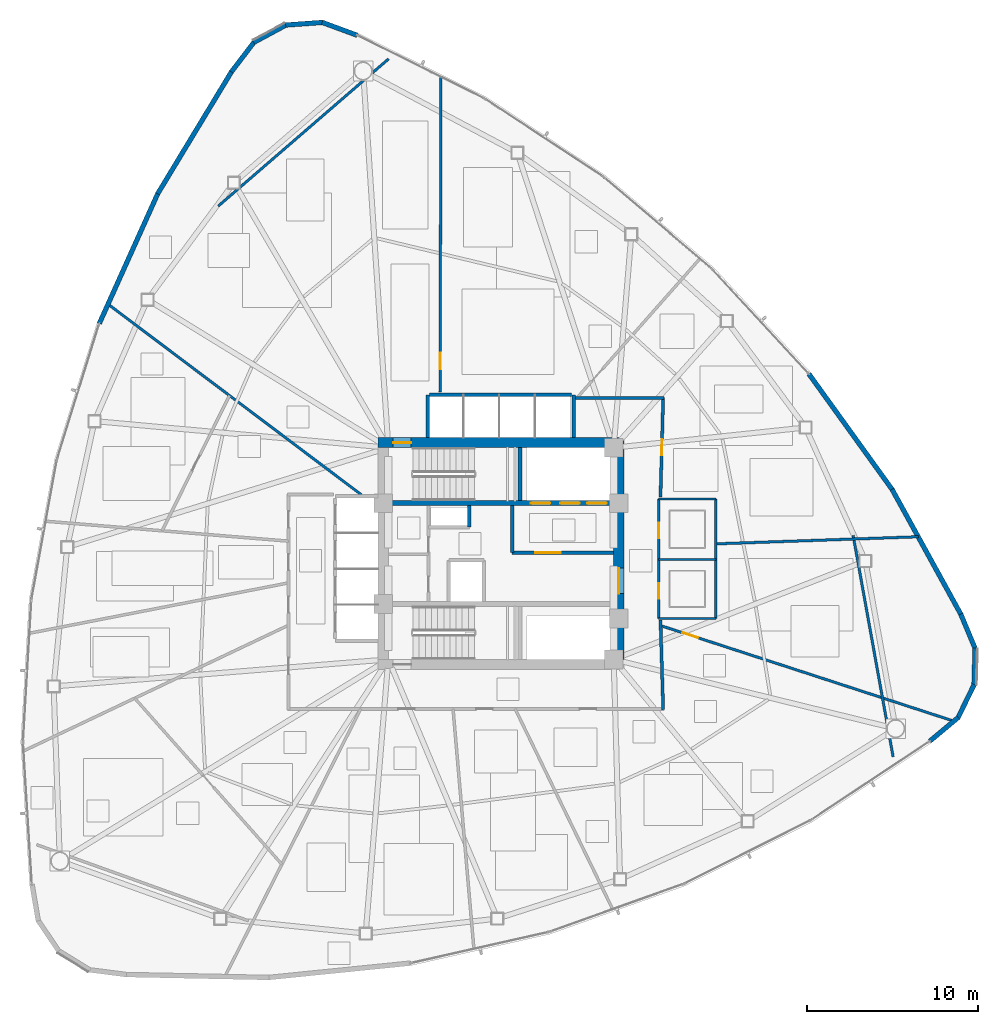
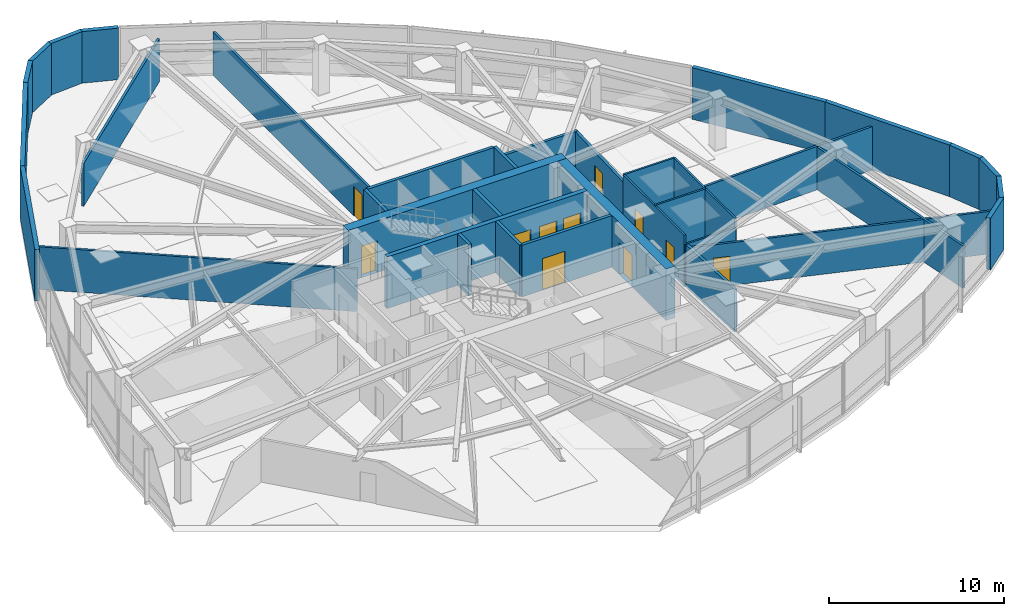
# One storey, part 12 of 17: 36 walls, 11 doors, 11 openings.
"""IFC4 building model written with IfcOpenShell, lengths in metres."""

from ifc_helpers import new_model, si_unit, direction, frame, frame_2d, origin, place, context, subcontext, project, spatial, rectangle, extrude, material, layer, layer_set, type_object, element, fill, save


model = new_model("IFC4")

# Units and contexts
model_context = context("Model", 3, precision=1e-05, world=origin(), true_north=direction((0.0, 1.0)))
body_context = subcontext(model_context, "Body", "Model", "MODEL_VIEW")
ifc_project = project(units=[si_unit("LENGTHUNIT", "METRE"), si_unit("AREAUNIT", "SQUARE_METRE"), si_unit("VOLUMEUNIT", "CUBIC_METRE"), si_unit("PLANEANGLEUNIT", "RADIAN"), si_unit("MASSUNIT", "GRAM", prefix="KILO")], contexts=[model_context])

# Site, building, storey
site_placement = place(None, origin())
site = spatial("IfcSite", under=ifc_project, at=site_placement, CompositionType="ELEMENT")
building_placement = place(site_placement, origin())
building = spatial("IfcBuilding", under=site, at=building_placement, Name="Tavelor Broadcast Tower", CompositionType="ELEMENT")
storey_placement = place(building_placement, frame((0.0, 0.0, 93.89990234375)))
storey = spatial("IfcBuildingStorey", under=building, at=storey_placement, Name="L22", CompositionType="ELEMENT", Elevation=93.89990234375)

# Wall, opening, door
ifc_material_1 = material(Name="Concrete C60/75", Category="concrete")
ifc_layer_1 = layer(ifc_material_1, 0.60009765625)
ifc_layer_set_1 = layer_set([ifc_layer_1], Name="Concrete C60/75")
wall_type_1 = type_object("IfcWallType", Name="Core Shear Wall 600 mm", PredefinedType="SHEAR", material=ifc_layer_set_1)
wall_1_placement = place(storey_placement, frame((42.800048828125, 51.5, 0.0), z_axis=(0.0, 0.0, 1.0), x_axis=(1.0, 0.0, 0.0)))
wall_1 = element("IfcWall", 1, at=wall_1_placement, inside=storey, type_object=wall_type_1, Name="L22 Central Core Shear Wall N", PredefinedType="SHEAR", context=body_context, shape_type="SweptSolid", body=[
    extrude(rectangle(XDim=14.39990234375, YDim=0.60009765625, at=frame_2d((7.199951171875, 0.0))), origin(), (0.0, 0.0, 1.0), 3.60009765625),
])
opening_1_placement = place(wall_1_placement, frame((0.8798828125, 0.0, 0.0)))
opening_1 = element("IfcOpeningElement", 2, at=opening_1_placement, cuts=wall_1, Name="Opening DR11", PredefinedType="OPENING", context=body_context, shape_type="SweptSolid", body=[
    extrude(rectangle(XDim=1.050048828125, YDim=2.199951171875, at=frame_2d((0.52490234375, 1.10009765625))), frame((0.0, 0.31005859375, 0.0), z_axis=(0.0, -1.0, 0.0), x_axis=(1.0, 0.0, 0.0)), (0.0, 0.0, 1.0), 0.6201171875),
])
ifc_material_2 = material(Name="Steel S355", Category="steel")
door_type_1 = type_object("IfcDoorType", Name="Stair Core Fire Escape Door 1050x2200", OperationType="NOTDEFINED", PredefinedType="DOOR", material=ifc_material_2)
door_1_placement = place(opening_1_placement, origin())
door_1 = element("IfcDoor", 3, at=door_1_placement, inside=storey, type_object=door_type_1, Name="L22 Stair ST1 Protected Exit Door", OperationType="SINGLE_SWING_LEFT", OverallHeight=2.199951171875, OverallWidth=1.050048828125, PredefinedType="DOOR", context=body_context, shape_type="SweptSolid", body=[
    extrude(rectangle(XDim=1.050048828125, YDim=2.199951171875, at=frame_2d((0.52490234375, 1.10009765625))), frame((0.0, 0.02490234375, 0.0), z_axis=(0.0, -1.0, 0.0), x_axis=(1.0, 0.0, 0.0)), (0.0, 0.0, 1.0), 0.050048828125),
])
fill(opening_1, door_1)

wall_2_placement = place(storey_placement, frame((56.89990234375, 38.800048828125, 0.0), z_axis=(0.0, 0.0, 1.0), x_axis=(0.0, 1.0, 0.0)))
wall_2 = element("IfcWall", 4, at=wall_2_placement, inside=storey, type_object=wall_type_1, Name="L22 Central Core Shear Wall E", PredefinedType="SHEAR", context=body_context, shape_type="SweptSolid", body=[
    extrude(rectangle(XDim=12.39990234375, YDim=0.60009765625, at=frame_2d((6.199951171875, 0.0))), origin(), (0.0, 0.0, 1.0), 3.60009765625),
])
opening_2_placement = place(wall_2_placement, frame((3.85009765625, 0.0, 0.0)))
opening_2 = element("IfcOpeningElement", 5, at=opening_2_placement, cuts=wall_2, Name="Opening DR14", PredefinedType="OPENING", context=body_context, shape_type="SweptSolid", body=[
    extrude(rectangle(XDim=1.5, YDim=2.199951171875, at=frame_2d((0.75, 1.10009765625))), frame((0.0, 0.31005859375, 0.0), z_axis=(0.0, -1.0, 0.0), x_axis=(1.0, 0.0, 0.0)), (0.0, 0.0, 1.0), 0.6201171875),
])
door_type_2 = type_object("IfcDoorType", Name="Firefighting Lobby Double Fire Door 1500x2200", OperationType="NOTDEFINED", PredefinedType="DOOR", material=ifc_material_2)
door_2_placement = place(opening_2_placement, origin())
door_2 = element("IfcDoor", 6, at=door_2_placement, inside=storey, type_object=door_type_2, Name="L22 Central Core Lobby Fire Door", OperationType="SINGLE_SWING_RIGHT", OverallHeight=2.199951171875, OverallWidth=1.5, PredefinedType="DOOR", context=body_context, shape_type="SweptSolid", body=[
    extrude(rectangle(XDim=1.5, YDim=2.199951171875, at=frame_2d((0.75, 1.10009765625))), frame((0.0, 0.02490234375, 0.0), z_axis=(0.0, -1.0, 0.0), x_axis=(1.0, 0.0, 0.0)), (0.0, 0.0, 1.0), 0.050048828125),
])
fill(opening_2, door_2)

# Wall, openings, doors
ifc_layer_2 = layer(ifc_material_1, 0.300048828125)
ifc_layer_set_2 = layer_set([ifc_layer_2], Name="Concrete C60/75")
wall_type_2 = type_object("IfcWallType", Name="Core Spine Shear Wall 300 mm C60", PredefinedType="SHEAR", material=ifc_layer_set_2)
wall_3_placement = place(storey_placement, frame((43.39990234375, 47.949951171875, 0.0), z_axis=(0.0, 0.0, 1.0), x_axis=(1.0, 0.0, 0.0)))
wall_3 = element("IfcWall", 7, at=wall_3_placement, inside=storey, type_object=wall_type_2, Name="L22 Central Core Shear Wall SP1", PredefinedType="SHEAR", context=body_context, shape_type="SweptSolid", body=[
    extrude(rectangle(XDim=13.2001953125, YDim=0.300048828125, at=frame_2d((6.60009765625, 0.0))), origin(), (0.0, 0.0, 1.0), 3.60009765625),
])
opening_3_placement = place(wall_3_placement, frame((8.344970703125, 0.0, 0.0)))
opening_3 = element("IfcOpeningElement", 8, at=opening_3_placement, cuts=wall_3, Name="Opening LD02", PredefinedType="OPENING", context=body_context, shape_type="SweptSolid", body=[
    extrude(rectangle(XDim=1.14990234375, YDim=2.199951171875, at=frame_2d((0.574951171875, 1.10009765625))), frame((0.0, 0.16015625, 0.0), z_axis=(0.0, -1.0, 0.0), x_axis=(1.0, 0.0, 0.0)), (0.0, 0.0, 1.0), 0.320068359375),
])
opening_4_placement = place(wall_3_placement, frame((10.06494140625, 0.0, 0.0)))
opening_4 = element("IfcOpeningElement", 9, at=opening_4_placement, cuts=wall_3, Name="Opening LD02", PredefinedType="OPENING", context=body_context, shape_type="SweptSolid", body=[
    extrude(rectangle(XDim=1.14990234375, YDim=2.199951171875, at=frame_2d((0.574951171875, 1.10009765625))), frame((0.0, 0.16015625, 0.0), z_axis=(0.0, -1.0, 0.0), x_axis=(1.0, 0.0, 0.0)), (0.0, 0.0, 1.0), 0.320068359375),
])
opening_5_placement = place(wall_3_placement, frame((11.64501953125, 0.0, 0.0)))
opening_5 = element("IfcOpeningElement", 10, at=opening_5_placement, cuts=wall_3, Name="Opening LD03", PredefinedType="OPENING", context=body_context, shape_type="SweptSolid", body=[
    extrude(rectangle(XDim=1.14990234375, YDim=2.199951171875, at=frame_2d((0.574951171875, 1.10009765625))), frame((0.0, 0.16015625, 0.0), z_axis=(0.0, -1.0, 0.0), x_axis=(1.0, 0.0, 0.0)), (0.0, 0.0, 1.0), 0.320068359375),
])
ifc_material_3 = material(Name="Reinforced Brushed Stainless Steel", Category="concrete")
door_type_3 = type_object("IfcDoorType", Name="Broadcast Goods Lift Sliding Landing Door 1250x2200", OperationType="NOTDEFINED", PredefinedType="DOOR", material=ifc_material_3)
door_3_placement = place(opening_5_placement, origin())
door_3 = element("IfcDoor", 11, at=door_3_placement, inside=storey, type_object=door_type_3, Name="L22 Lift SVL1 Sliding Landing Door", OperationType="SLIDING_TO_LEFT", OverallHeight=2.199951171875, OverallWidth=1.14990234375, PredefinedType="DOOR", context=body_context, shape_type="SweptSolid", body=[
    extrude(rectangle(XDim=1.14990234375, YDim=2.199951171875, at=frame_2d((0.574951171875, 1.10009765625))), frame((0.0, 0.02490234375, 0.0), z_axis=(0.0, -1.0, 0.0), x_axis=(1.0, 0.0, 0.0)), (0.0, 0.0, 1.0), 0.050048828125),
])
fill(opening_5, door_3)
ifc_material_4 = material(Name="Fire-Rated Stainless Steel", Category="steel")
door_type_4 = type_object("IfcDoorType", Name="Firefighting Lift Sliding Landing Door 1200x2200", OperationType="NOTDEFINED", PredefinedType="DOOR", material=ifc_material_4)
door_4_placement = place(opening_3_placement, origin())
door_4 = element("IfcDoor", 12, at=door_4_placement, inside=storey, type_object=door_type_4, Name="L22 Lift FFL1 Sliding Landing Door", OperationType="SLIDING_TO_LEFT", OverallHeight=2.199951171875, OverallWidth=1.14990234375, PredefinedType="DOOR", context=body_context, shape_type="SweptSolid", body=[
    extrude(rectangle(XDim=1.14990234375, YDim=2.199951171875, at=frame_2d((0.574951171875, 1.10009765625))), frame((0.0, 0.02490234375, 0.0), z_axis=(0.0, -1.0, 0.0), x_axis=(1.0, 0.0, 0.0)), (0.0, 0.0, 1.0), 0.050048828125),
])
fill(opening_3, door_4)
door_5_placement = place(opening_4_placement, origin())
door_5 = element("IfcDoor", 13, at=door_5_placement, inside=storey, type_object=door_type_4, Name="L22 Lift FFL2 Sliding Landing Door", OperationType="SLIDING_TO_LEFT", OverallHeight=2.199951171875, OverallWidth=1.14990234375, PredefinedType="DOOR", context=body_context, shape_type="SweptSolid", body=[
    extrude(rectangle(XDim=1.14990234375, YDim=2.199951171875, at=frame_2d((0.574951171875, 1.10009765625))), frame((0.0, 0.02490234375, 0.0), z_axis=(0.0, -1.0, 0.0), x_axis=(1.0, 0.0, 0.0)), (0.0, 0.0, 1.0), 0.050048828125),
])
fill(opening_4, door_5)

# Wall
ifc_material_5 = material(Name="Calcium Silicate Fire Board 180 mm", Category="gypsum")
ifc_layer_3 = layer(ifc_material_5, 0.179931640625)
ifc_layer_set_3 = layer_set([ifc_layer_3], Name="Calcium Silicate Fire Board 180 mm")
wall_type_3 = type_object("IfcWallType", Name="Fire-Rated Corridor Partition Wall 180 mm", PredefinedType="PARTITIONING", material=ifc_layer_set_3)
wall_4_placement = place(storey_placement, frame((54.300048828125, 54.10009765625, 0.0), z_axis=(0.0, 0.0, 1.0), x_axis=(1.0, 0.0, 0.0)))
element("IfcWall", 14, at=wall_4_placement, inside=storey, type_object=wall_type_3, Name="L22 Corridor Compartment Wall 01", PredefinedType="PARTITIONING", context=body_context, shape_type="SweptSolid", body=[
    extrude(rectangle(XDim=5.25, YDim=0.179931640625, at=frame_2d((2.625, 0.0))), origin(), (0.0, 0.0, 1.0), 2.97509765625),
])

# Wall, opening, door
wall_5_placement = place(storey_placement, frame((59.50146484375, 54.14990234375, 0.0), z_axis=(0.0, 0.0, 1.0), x_axis=(-0.027367567602, -0.999625437973, 0.0)))
wall_5 = element("IfcWall", 15, at=wall_5_placement, inside=storey, type_object=wall_type_3, Name="L22 Corridor Compartment Wall 02", PredefinedType="PARTITIONING", context=body_context, shape_type="SweptSolid", body=[
    extrude(rectangle(XDim=5.85205078125, YDim=0.179931640625, at=frame_2d((2.926025390625, 0.0))), origin(), (0.0, 0.0, 1.0), 2.97509765625),
])
opening_6_placement = place(wall_5_placement, frame((2.451171875, 0.0, 0.0)))
opening_6 = element("IfcOpeningElement", 16, at=opening_6_placement, cuts=wall_5, Name="Opening DR18", PredefinedType="OPENING", context=body_context, shape_type="SweptSolid", body=[
    extrude(rectangle(XDim=0.949951171875, YDim=2.050048828125, at=frame_2d((0.47509765625, 1.02490234375))), frame((0.0, 0.10009765625, 0.0), z_axis=(0.0, -1.0, 0.0), x_axis=(1.0, 0.0, 0.0)), (0.0, 0.0, 1.0), 0.199951171875),
])
ifc_material_6 = material(Name="Timber Solid Core Hardwood", Category="wood")
door_type_5 = type_object("IfcDoorType", Name="Corridor Rated Compartment Door 950x2050", OperationType="NOTDEFINED", PredefinedType="DOOR", material=ifc_material_6)
door_6_placement = place(opening_6_placement, origin())
door_6 = element("IfcDoor", 17, at=door_6_placement, inside=storey, type_object=door_type_5, Name="L22 International Bureau Office Door R9", OperationType="SINGLE_SWING_LEFT", OverallHeight=2.050048828125, OverallWidth=0.949951171875, PredefinedType="DOOR", context=body_context, shape_type="SweptSolid", body=[
    extrude(rectangle(XDim=0.949951171875, YDim=2.050048828125, at=frame_2d((0.47509765625, 1.02490234375))), frame((0.0, 0.02490234375, 0.0), z_axis=(0.0, -1.0, 0.0), x_axis=(1.0, 0.0, 0.0)), (0.0, 0.0, 1.0), 0.050048828125),
])
fill(opening_6, door_6)

# Walls
wall_6_placement = place(storey_placement, frame((59.341552734375, 41.10009765625, 0.0), z_axis=(0.0, 0.0, 1.0), x_axis=(0.030445329425, -0.999536433511, 0.0)))
element("IfcWall", 18, at=wall_6_placement, inside=storey, type_object=wall_type_3, Name="L22 Corridor Compartment Wall 03", PredefinedType="PARTITIONING", context=body_context, shape_type="SweptSolid", body=[
    extrude(rectangle(XDim=5.25244140625, YDim=0.179931640625, at=frame_2d((2.626220703125, 0.0))), origin(), (0.0, 0.0, 1.0), 2.97509765625),
])
ifc_material_7 = material(Name="Precast Concrete C40/50", Category="concrete")
ifc_layer_4 = layer(ifc_material_7, 0.280029296875)
ifc_layer_set_4 = layer_set([ifc_layer_4], Name="Precast Concrete C40/50")
wall_type_4 = type_object("IfcWallType", Name="Insulated Precast Terracotta Facade Wall 280 mm", PredefinedType="STANDARD", material=ifc_layer_set_4)
wall_7_placement = place(storey_placement, frame((41.56689453125, 75.363037109375, 0.0), z_axis=(0.0, 0.0, 1.0), x_axis=(-0.938189981727, 0.346120727762, 0.0)))
element("IfcWall", 19, at=wall_7_placement, inside=storey, type_object=wall_type_4, Name="L22 Rounded Corner Structural Cladding Pier 01", PredefinedType="STANDARD", context=body_context, shape_type="SweptSolid", body=[
    extrude(rectangle(XDim=2.178955078125, YDim=0.280029296875, at=frame_2d((1.08935546875, 0.0))), origin(), (0.0, 0.0, 1.0), 3.60009765625),
])
wall_8_placement = place(storey_placement, frame((39.5517578125, 76.113037109375, 0.0), z_axis=(0.0, 0.0, 1.0), x_axis=(-0.997502539486, -0.070630614597, 0.0)))
element("IfcWall", 20, at=wall_8_placement, inside=storey, type_object=wall_type_4, Name="L22 Rounded Corner Structural Cladding Pier 02", PredefinedType="STANDARD", context=body_context, shape_type="SweptSolid", body=[
    extrude(rectangle(XDim=2.167236328125, YDim=0.280029296875, at=frame_2d((1.08349609375, 0.0))), origin(), (0.0, 0.0, 1.0), 3.60009765625),
])
wall_9_placement = place(storey_placement, frame((37.418212890625, 75.968017578125, 0.0), z_axis=(0.0, 0.0, 1.0), x_axis=(-0.880116329894, -0.474758091932, 0.0)))
element("IfcWall", 21, at=wall_9_placement, inside=storey, type_object=wall_type_4, Name="L22 Rounded Corner Structural Cladding Pier 03", PredefinedType="STANDARD", context=body_context, shape_type="SweptSolid", body=[
    extrude(rectangle(XDim=2.1669921875, YDim=0.280029296875, at=frame_2d((1.08349609375, 0.0))), origin(), (0.0, 0.0, 1.0), 3.60009765625),
])
wall_10_placement = place(storey_placement, frame((35.533203125, 74.9580078125, 0.0), z_axis=(0.0, 0.0, 1.0), x_axis=(-0.606651068658, -0.794968226343, 0.0)))
element("IfcWall", 22, at=wall_10_placement, inside=storey, type_object=wall_type_4, Name="L22 Rounded Corner Structural Cladding Pier 04", PredefinedType="STANDARD", context=body_context, shape_type="SweptSolid", body=[
    extrude(rectangle(XDim=2.189697265625, YDim=0.280029296875, at=frame_2d((1.0947265625, 0.0))), origin(), (0.0, 0.0, 1.0), 3.60009765625),
])
wall_11_placement = place(storey_placement, frame((34.2216796875, 73.2421875, 0.0), z_axis=(0.0, 0.0, 1.0), x_axis=(-0.517663480334, -0.855584315616, 0.0)))
element("IfcWall", 23, at=wall_11_placement, inside=storey, type_object=wall_type_4, Name="L22 Rounded Corner Structural Cladding Pier 05", PredefinedType="STANDARD", context=body_context, shape_type="SweptSolid", body=[
    extrude(rectangle(XDim=8.3779296875, YDim=0.280029296875, at=frame_2d((4.18896484375, 0.0))), origin(), (0.0, 0.0, 1.0), 3.60009765625),
])
wall_12_placement = place(storey_placement, frame((29.898681640625, 66.1005859375, 0.0), z_axis=(0.0, 0.0, 1.0), x_axis=(-0.41035011583, -0.91192805771, 0.0)))
element("IfcWall", 24, at=wall_12_placement, inside=storey, type_object=wall_type_4, Name="L22 Rounded Corner Structural Cladding Pier 06", PredefinedType="STANDARD", context=body_context, shape_type="SweptSolid", body=[
    extrude(rectangle(XDim=8.36572265625, YDim=0.280029296875, at=frame_2d((4.182861328125, 0.0))), origin(), (0.0, 0.0, 1.0), 3.60009765625),
])
wall_13_placement = place(storey_placement, frame((75.11181640625, 34.004150390625, 0.0), z_axis=(0.0, 0.0, 1.0), x_axis=(0.768799603125, 0.639489773362, 0.0)))
element("IfcWall", 25, at=wall_13_placement, inside=storey, type_object=wall_type_4, Name="L22 Rounded Corner Structural Cladding Pier 21", PredefinedType="STANDARD", context=body_context, shape_type="SweptSolid", body=[
    extrude(rectangle(XDim=2.1787109375, YDim=0.280029296875, at=frame_2d((1.08935546875, 0.0))), origin(), (0.0, 0.0, 1.0), 3.60009765625),
])
for number, where, z_axis, x_axis, name in (
    (26, (76.768798828125, 35.374267578125, 0.0), (0.0, 0.0, 1.0), (0.437544501121, 0.899196757967, 0.0), "L22 Rounded Corner Structural Cladding Pier 22"),
    (27, (77.710205078125, 37.29443359375, 0.0), (0.0, 0.0, 1.0), (0.028727010035, 0.999587294284, 0.0), "L22 Rounded Corner Structural Cladding Pier 23"),
):
    element("IfcWall", number, at=place(storey_placement, frame(where, z_axis=z_axis, x_axis=x_axis)), inside=storey, type_object=wall_type_4, Name=name, PredefinedType="STANDARD", context=body_context, shape_type="SweptSolid", body=[
        extrude(rectangle(XDim=2.167236328125, YDim=0.280029296875, at=frame_2d((1.08349609375, 0.0))), origin(), (0.0, 0.0, 1.0), 3.60009765625),
    ])
wall_14_placement = place(storey_placement, frame((77.77783203125, 39.431884765625, 0.0), z_axis=(0.0, 0.0, 1.0), x_axis=(-0.385114100598, 0.922868966604, 0.0)))
element("IfcWall", 28, at=wall_14_placement, inside=storey, type_object=wall_type_4, Name="L22 Rounded Corner Structural Cladding Pier 24", PredefinedType="STANDARD", context=body_context, shape_type="SweptSolid", body=[
    extrude(rectangle(XDim=2.189697265625, YDim=0.280029296875, at=frame_2d((1.0947265625, 0.0))), origin(), (0.0, 0.0, 1.0), 3.60009765625),
])
wall_15_placement = place(storey_placement, frame((76.947509765625, 41.42578125, 0.0), z_axis=(0.0, 0.0, 1.0), x_axis=(-0.482115623964, 0.87610759906, 0.0)))
element("IfcWall", 29, at=wall_15_placement, inside=storey, type_object=wall_type_4, Name="L22 Rounded Corner Structural Cladding Pier 25", PredefinedType="STANDARD", context=body_context, shape_type="SweptSolid", body=[
    extrude(rectangle(XDim=8.377685546875, YDim=0.280029296875, at=frame_2d((4.18896484375, 0.0))), origin(), (0.0, 0.0, 1.0), 3.60009765625),
])
wall_16_placement = place(storey_placement, frame((72.924560546875, 48.740234375, 0.0), z_axis=(0.0, 0.0, 1.0), x_axis=(-0.584603732858, 0.811318972741, 0.0)))
element("IfcWall", 30, at=wall_16_placement, inside=storey, type_object=wall_type_4, Name="L22 Rounded Corner Structural Cladding Pier 26", PredefinedType="STANDARD", context=body_context, shape_type="SweptSolid", body=[
    extrude(rectangle(XDim=8.3662109375, YDim=0.280029296875, at=frame_2d((4.18310546875, 0.0))), origin(), (0.0, 0.0, 1.0), 3.60009765625),
])
ifc_material_8 = material(Name="Gypsum Acoustic Plasterboard 150 mm", Category="gypsum")
ifc_layer_5 = layer(ifc_material_8, 0.14990234375)
ifc_layer_set_5 = layer_set([ifc_layer_5], Name="Gypsum Acoustic Plasterboard 150 mm")
wall_type_5 = type_object("IfcWallType", Name="Interior Acoustic Partition Wall 150 mm", PredefinedType="PARTITIONING", material=ifc_layer_set_5)
wall_17_placement = place(storey_placement, frame((43.42138671875, 73.9794921875, 0.0), z_axis=(0.0, 0.0, 1.0), x_axis=(-0.756659135409, -0.653809569218, 0.0)))
element("IfcWall", 31, at=wall_17_placement, inside=storey, type_object=wall_type_5, Name="L22 Corner Tube Brace Furring Wall 1", PredefinedType="PARTITIONING", context=body_context, shape_type="SweptSolid", body=[
    extrude(rectangle(XDim=13.200439453125, YDim=0.14990234375, at=frame_2d((6.60009765625, 0.0))), origin(), (0.0, 0.0, 1.0), 2.97509765625),
])
wall_18_placement = place(storey_placement, frame((72.96923828125, 33.09130859375, 0.0), z_axis=(0.0, 0.0, 1.0), x_axis=(-0.177742578179, 0.984077017261, 0.0)))
element("IfcWall", 32, at=wall_18_placement, inside=storey, type_object=wall_type_5, Name="L22 Corner Tube Brace Furring Wall 3", PredefinedType="PARTITIONING", context=body_context, shape_type="SweptSolid", body=[
    extrude(rectangle(XDim=13.179443359375, YDim=0.14990234375, at=frame_2d((6.58984375, 0.0))), origin(), (0.0, 0.0, 1.0), 2.97509765625),
])

# Wall, opening, door
wall_19_placement = place(storey_placement, frame((59.351318359375, 40.779296875, 0.0), z_axis=(0.0, 0.0, 1.0), x_axis=(0.950783650801, -0.309855529834, 0.0)))
wall_19 = element("IfcWall", 33, at=wall_19_placement, inside=storey, type_object=wall_type_5, Name="L22 Radial Compartment Wall 06", PredefinedType="PARTITIONING", context=body_context, shape_type="SweptSolid", body=[
    extrude(rectangle(XDim=18.0771484375, YDim=0.14990234375, at=frame_2d((9.03857421875, 0.0))), origin(), (0.0, 0.0, 1.0), 2.97509765625),
])
opening_7_placement = place(wall_19_placement, frame((1.35009765625, 0.0, 0.0)))
opening_7 = element("IfcOpeningElement", 34, at=opening_7_placement, cuts=wall_19, Name="Opening DR18", PredefinedType="OPENING", context=body_context, shape_type="SweptSolid", body=[
    extrude(rectangle(XDim=0.949951171875, YDim=2.050048828125, at=frame_2d((0.47509765625, 1.02490234375))), frame((0.0, 0.0849609375, 0.0), z_axis=(0.0, -1.0, 0.0), x_axis=(1.0, 0.0, 0.0)), (0.0, 0.0, 1.0), 0.169921875),
])
door_7_placement = place(opening_7_placement, origin())
door_7 = element("IfcDoor", 35, at=door_7_placement, inside=storey, type_object=door_type_5, Name="L22 Suite Connecting Door 10", OperationType="SINGLE_SWING_RIGHT", OverallHeight=2.050048828125, OverallWidth=0.949951171875, PredefinedType="DOOR", context=body_context, shape_type="SweptSolid", body=[
    extrude(rectangle(XDim=0.949951171875, YDim=2.050048828125, at=frame_2d((0.47509765625, 1.02490234375))), frame((0.0, 0.02490234375, 0.0), z_axis=(0.0, -1.0, 0.0), x_axis=(1.0, 0.0, 0.0)), (0.0, 0.0, 1.0), 0.050048828125),
])
fill(opening_7, door_7)

# Wall
wall_20_placement = place(storey_placement, frame((62.64990234375, 45.5693359375, 0.0), z_axis=(0.0, 0.0, 1.0), x_axis=(0.999386492814, 0.035023391924, 0.0)))
element("IfcWall", 36, at=wall_20_placement, inside=storey, type_object=wall_type_5, Name="L22 Radial Compartment Wall 07", PredefinedType="PARTITIONING", context=body_context, shape_type="SweptSolid", body=[
    extrude(rectangle(XDim=11.80859375, YDim=0.14990234375, at=frame_2d((5.904296875, 0.0))), origin(), (0.0, 0.0, 1.0), 3.025146484375),
])

# Wall, opening, door
wall_21_placement = place(storey_placement, frame((46.428466796875, 54.449951171875, 0.0), z_axis=(0.0, 0.0, 1.0), x_axis=(0.002998823971, 0.999995503517, 0.0)))
wall_21 = element("IfcWall", 37, at=wall_21_placement, inside=storey, type_object=wall_type_5, Name="L22 Radial Compartment Wall 09", PredefinedType="PARTITIONING", context=body_context, shape_type="SweptSolid", body=[
    extrude(rectangle(XDim=18.48046875, YDim=0.14990234375, at=frame_2d((9.240234375, 0.0))), origin(), (0.0, 0.0, 1.0), 3.025146484375),
])
opening_8_placement = place(wall_21_placement, frame((1.35009765625, 0.0, 0.0)))
opening_8 = element("IfcOpeningElement", 38, at=opening_8_placement, cuts=wall_21, Name="Opening DR18", PredefinedType="OPENING", context=body_context, shape_type="SweptSolid", body=[
    extrude(rectangle(XDim=0.949951171875, YDim=2.050048828125, at=frame_2d((0.47509765625, 1.02490234375))), frame((0.0, 0.0849609375, 0.0), z_axis=(0.0, -1.0, 0.0), x_axis=(1.0, 0.0, 0.0)), (0.0, 0.0, 1.0), 0.169921875),
])
door_8_placement = place(opening_8_placement, origin())
door_8 = element("IfcDoor", 39, at=door_8_placement, inside=storey, type_object=door_type_5, Name="L22 Suite Connecting Door 7", OperationType="SINGLE_SWING_RIGHT", OverallHeight=2.050048828125, OverallWidth=0.949951171875, PredefinedType="DOOR", context=body_context, shape_type="SweptSolid", body=[
    extrude(rectangle(XDim=0.949951171875, YDim=2.050048828125, at=frame_2d((0.47509765625, 1.02490234375))), frame((0.0, 0.02490234375, 0.0), z_axis=(0.0, -1.0, 0.0), x_axis=(1.0, 0.0, 0.0)), (0.0, 0.0, 1.0), 0.050048828125),
])
fill(opening_8, door_8)

# Walls
wall_22_placement = place(storey_placement, frame((41.813720703125, 48.449951171875, 0.0), z_axis=(0.0, 0.0, 1.0), x_axis=(-0.79912852828, 0.601160207672, 0.0)))
element("IfcWall", 40, at=wall_22_placement, inside=storey, type_object=wall_type_5, Name="L22 Radial Compartment Wall 10", PredefinedType="PARTITIONING", context=body_context, shape_type="SweptSolid", body=[
    extrude(rectangle(XDim=18.574951171875, YDim=0.14990234375, at=frame_2d((9.28759765625, 0.0))), origin(), (0.0, 0.0, 1.0), 2.97509765625),
])
ifc_material_9 = material(Name="Concrete Blockwork 200 mm", Category="masonry")
ifc_layer_6 = layer(ifc_material_9, 0.199951171875)
ifc_layer_set_6 = layer_set([ifc_layer_6], Name="Concrete Blockwork 200 mm")
wall_type_6 = type_object("IfcWallType", Name="Lift Hoistway Rated Front Wall 200 mm", PredefinedType="PARTITIONING", material=ifc_layer_set_6)
wall_23_placement = place(storey_placement, frame((45.820068359375, 54.300048828125, 0.0), z_axis=(0.0, 0.0, 1.0), x_axis=(1.0, 0.0, 0.0)))
element("IfcWall", 41, at=wall_23_placement, inside=storey, type_object=wall_type_6, Name="L22 High-Rise Lift Hoistway Front Wall", PredefinedType="PARTITIONING", context=body_context, shape_type="SweptSolid", body=[
    extrude(rectangle(XDim=8.309814453125, YDim=0.199951171875, at=frame_2d((4.15478515625, 0.0))), origin(), (0.0, 0.0, 1.0), 3.60009765625),
])
ifc_layer_7 = layer(ifc_material_9, 0.199951171875)
ifc_layer_set_7 = layer_set([ifc_layer_7], Name="Concrete Blockwork 200 mm")
wall_type_7 = type_object("IfcWallType", Name="Lift and Riser Shaft Enclosure Wall 200 mm", PredefinedType="PARTITIONING", material=ifc_layer_set_7)
for number, where, z_axis, x_axis, name in (
    (42, (45.699951171875, 51.800048828125, 0.0), (0.0, 0.0, 1.0), (0.0, 1.0, 0.0), "L22 High-Rise Lift Shaft West Wall"),
    (43, (54.25, 51.800048828125, 0.0), (0.0, 0.0, 1.0), (0.0, 1.0, 0.0), "L22 High-Rise Lift Shaft East Wall"),
):
    element("IfcWall", number, at=place(storey_placement, frame(where, z_axis=z_axis, x_axis=x_axis)), inside=storey, type_object=wall_type_7, Name=name, PredefinedType="PARTITIONING", context=body_context, shape_type="SweptSolid", body=[
        extrude(rectangle(XDim=2.5, YDim=0.199951171875, at=frame_2d((1.25, 0.0))), origin(), (0.0, 0.0, 1.0), 3.60009765625),
    ])
wall_24_placement = place(storey_placement, frame((48.14990234375, 46.550048828125, 0.0), z_axis=(0.0, 0.0, 1.0), x_axis=(0.0, 1.0, 0.0)))
element("IfcWall", 44, at=wall_24_placement, inside=storey, type_object=wall_type_7, Name="L22 Riser Shaft East Wall", PredefinedType="PARTITIONING", context=body_context, shape_type="SweptSolid", body=[
    extrude(rectangle(XDim=1.25, YDim=0.199951171875, at=frame_2d((0.625, 0.0))), origin(), (0.0, 0.0, 1.0), 3.60009765625),
])

# Wall, opening, door
wall_25_placement = place(storey_placement, frame((50.64990234375, 45.050048828125, 0.0), z_axis=(0.0, 0.0, 1.0), x_axis=(1.0, 0.0, 0.0)))
wall_25 = element("IfcWall", 45, at=wall_25_placement, inside=storey, type_object=wall_type_7, Name="L22 Firefighting Lobby South Wall", PredefinedType="PARTITIONING", context=body_context, shape_type="SweptSolid", body=[
    extrude(rectangle(XDim=5.9501953125, YDim=0.199951171875, at=frame_2d((2.97509765625, 0.0))), origin(), (0.0, 0.0, 1.0), 3.60009765625),
])
opening_9_placement = place(wall_25_placement, frame((1.35009765625, 0.0, 0.0)))
opening_9 = element("IfcOpeningElement", 46, at=opening_9_placement, cuts=wall_25, Name="Opening DR14", PredefinedType="OPENING", context=body_context, shape_type="SweptSolid", body=[
    extrude(rectangle(XDim=1.5, YDim=2.199951171875, at=frame_2d((0.75, 1.10009765625))), frame((0.0, 0.10986328125, 0.0), z_axis=(0.0, -1.0, 0.0), x_axis=(1.0, 0.0, 0.0)), (0.0, 0.0, 1.0), 0.219970703125),
])
door_9_placement = place(opening_9_placement, origin())
door_9 = element("IfcDoor", 47, at=door_9_placement, inside=storey, type_object=door_type_2, Name="L22 Firefighting Lobby Compartment Door", OperationType="SINGLE_SWING_LEFT", OverallHeight=2.199951171875, OverallWidth=1.5, PredefinedType="DOOR", context=body_context, shape_type="SweptSolid", body=[
    extrude(rectangle(XDim=1.5, YDim=2.199951171875, at=frame_2d((0.75, 1.10009765625))), frame((0.0, 0.02490234375, 0.0), z_axis=(0.0, -1.0, 0.0), x_axis=(1.0, 0.0, 0.0)), (0.0, 0.0, 1.0), 0.050048828125),
])
fill(opening_9, door_9)

# Wall
wall_26_placement = place(storey_placement, frame((50.64990234375, 45.050048828125, 0.0), z_axis=(0.0, 0.0, 1.0), x_axis=(0.0, 1.0, 0.0)))
element("IfcWall", 48, at=wall_26_placement, inside=storey, type_object=wall_type_7, Name="L22 Firefighting Lobby West Wall", PredefinedType="PARTITIONING", context=body_context, shape_type="SweptSolid", body=[
    extrude(rectangle(XDim=2.75, YDim=0.199951171875, at=frame_2d((1.375, 0.0))), origin(), (0.0, 0.0, 1.0), 3.60009765625),
])

# Wall, openings, doors
ifc_material_10 = material(Name="Moisture-Resistant Plasterboard 120 mm", Category="gypsum")
ifc_layer_8 = layer(ifc_material_10, 0.1201171875)
ifc_layer_set_8 = layer_set([ifc_layer_8], Name="Moisture-Resistant Plasterboard 120 mm")
wall_type_8 = type_object("IfcWallType", Name="Moisture-Resistant Wet-Room Partition 120 mm", PredefinedType="PARTITIONING", material=ifc_layer_set_8)
wall_27_placement = place(storey_placement, frame((59.239990234375, 41.199951171875, 0.0), z_axis=(0.0, 0.0, 1.0), x_axis=(0.0, 1.0, 0.0)))
wall_27 = element("IfcWall", 49, at=wall_27_placement, inside=storey, type_object=wall_type_8, Name="L22 Floor Washrooms West Wall", PredefinedType="PARTITIONING", context=body_context, shape_type="SweptSolid", body=[
    extrude(rectangle(XDim=7.0, YDim=0.1201171875, at=frame_2d((3.5, 0.0))), origin(), (0.0, 0.0, 1.0), 3.60009765625),
])
opening_10_placement = place(wall_27_placement, frame((1.14990234375, 0.0, 0.0)))
opening_10 = element("IfcOpeningElement", 50, at=opening_10_placement, cuts=wall_27, Name="Opening DR32", PredefinedType="OPENING", context=body_context, shape_type="SweptSolid", body=[
    extrude(rectangle(XDim=0.89990234375, YDim=2.050048828125, at=frame_2d((0.449951171875, 1.02490234375))), frame((0.0, 0.070068359375, 0.0), z_axis=(0.0, -1.0, 0.0), x_axis=(1.0, 0.0, 0.0)), (0.0, 0.0, 1.0), 0.14013671875),
])
opening_11_placement = place(wall_27_placement, frame((4.699951171875, 0.0, 0.0)))
opening_11 = element("IfcOpeningElement", 51, at=opening_11_placement, cuts=wall_27, Name="Opening DR32", PredefinedType="OPENING", context=body_context, shape_type="SweptSolid", body=[
    extrude(rectangle(XDim=0.89990234375, YDim=2.050048828125, at=frame_2d((0.449951171875, 1.02490234375))), frame((0.0, 0.070068359375, 0.0), z_axis=(0.0, -1.0, 0.0), x_axis=(1.0, 0.0, 0.0)), (0.0, 0.0, 1.0), 0.14013671875),
])
door_type_6 = type_object("IfcDoorType", Name="Accessible Washroom Door 900x2050", OperationType="NOTDEFINED", PredefinedType="DOOR", material=ifc_material_6)
door_10_placement = place(opening_10_placement, origin())
door_10 = element("IfcDoor", 52, at=door_10_placement, inside=storey, type_object=door_type_6, Name="L22 Accessible WC Door", OperationType="SINGLE_SWING_LEFT", OverallHeight=2.050048828125, OverallWidth=0.89990234375, PredefinedType="DOOR", context=body_context, shape_type="SweptSolid", body=[
    extrude(rectangle(XDim=0.89990234375, YDim=2.050048828125, at=frame_2d((0.449951171875, 1.02490234375))), frame((0.0, 0.02490234375, 0.0), z_axis=(0.0, -1.0, 0.0), x_axis=(1.0, 0.0, 0.0)), (0.0, 0.0, 1.0), 0.050048828125),
])
fill(opening_10, door_10)
door_11_placement = place(opening_11_placement, origin())
door_11 = element("IfcDoor", 53, at=door_11_placement, inside=storey, type_object=door_type_6, Name="L22 Staff Washroom WC Door", OperationType="SINGLE_SWING_RIGHT", OverallHeight=2.050048828125, OverallWidth=0.89990234375, PredefinedType="DOOR", context=body_context, shape_type="SweptSolid", body=[
    extrude(rectangle(XDim=0.89990234375, YDim=2.050048828125, at=frame_2d((0.449951171875, 1.02490234375))), frame((0.0, 0.02490234375, 0.0), z_axis=(0.0, -1.0, 0.0), x_axis=(1.0, 0.0, 0.0)), (0.0, 0.0, 1.0), 0.050048828125),
])
fill(opening_11, door_11)

# Walls
wall_28_placement = place(storey_placement, frame((59.239990234375, 41.199951171875, 0.0), z_axis=(0.0, 0.0, 1.0), x_axis=(1.0, 0.0, 0.0)))
element("IfcWall", 54, at=wall_28_placement, inside=storey, type_object=wall_type_8, Name="L22 Floor Washrooms South Wall", PredefinedType="PARTITIONING", context=body_context, shape_type="SweptSolid", body=[
    extrude(rectangle(XDim=3.340087890625, YDim=0.1201171875, at=frame_2d((1.669921875, 0.0))), origin(), (0.0, 0.0, 1.0), 2.97509765625),
])
for number, where, z_axis, x_axis, name in (
    (55, (59.239990234375, 44.64990234375, 0.0), (0.0, 0.0, 1.0), (1.0, 0.0, 0.0), "L22 Floor Washrooms Divider Wall"),
    (56, (59.239990234375, 48.199951171875, 0.0), (0.0, 0.0, 1.0), (1.0, 0.0, 0.0), "L22 Floor Washrooms North Wall"),
):
    element("IfcWall", number, at=place(storey_placement, frame(where, z_axis=z_axis, x_axis=x_axis)), inside=storey, type_object=wall_type_8, Name=name, PredefinedType="PARTITIONING", context=body_context, shape_type="SweptSolid", body=[
        extrude(rectangle(XDim=3.340087890625, YDim=0.1201171875, at=frame_2d((1.669921875, 0.0))), origin(), (0.0, 0.0, 1.0), 3.60009765625),
    ])
wall_29_placement = place(storey_placement, frame((62.580078125, 41.199951171875, 0.0), z_axis=(0.0, 0.0, 1.0), x_axis=(0.0, 1.0, 0.0)))
element("IfcWall", 57, at=wall_29_placement, inside=storey, type_object=wall_type_8, Name="L22 Floor Washrooms East Wall", PredefinedType="PARTITIONING", context=body_context, shape_type="SweptSolid", body=[
    extrude(rectangle(XDim=7.0, YDim=0.1201171875, at=frame_2d((3.5, 0.0))), origin(), (0.0, 0.0, 1.0), 3.60009765625),
])
ifc_material_11 = material(Name="Concrete C40/50", Category="concrete")
ifc_layer_9 = layer(ifc_material_11, 0.219970703125)
ifc_layer_set_9 = layer_set([ifc_layer_9], Name="Concrete C40/50")
wall_type_9 = type_object("IfcWallType", Name="Structural Stairwell Shear Wall 220 mm", PredefinedType="SHEAR", material=ifc_layer_set_9)
wall_30_placement = place(storey_placement, frame((51.110107421875, 48.10009765625, 0.0), z_axis=(0.0, 0.0, 1.0), x_axis=(0.0, 1.0, 0.0)))
element("IfcWall", 58, at=wall_30_placement, inside=storey, type_object=wall_type_9, Name="L22 Stair ST1 Structural Shaft Wall", PredefinedType="SHEAR", context=body_context, shape_type="SweptSolid", body=[
    extrude(rectangle(XDim=3.099853515625, YDim=0.219970703125, at=frame_2d((1.5498046875, 0.0))), origin(), (0.0, 0.0, 1.0), 3.60009765625),
])

save(model, "model.ifc")
